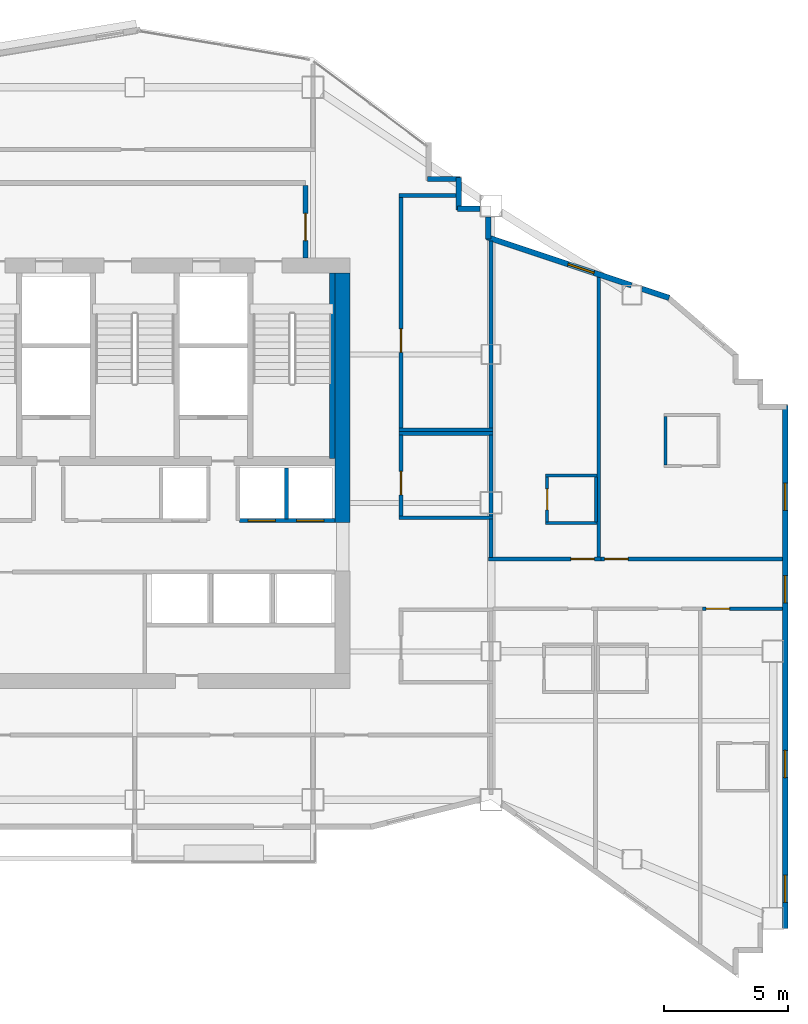
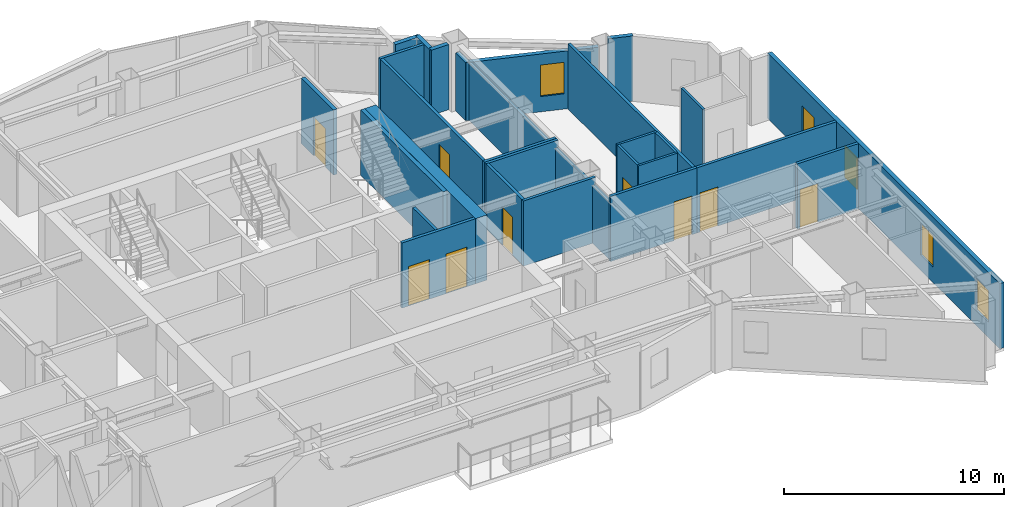
# One storey, part 8 of 11: 30 walls, 9 doors, 5 windows, 14 openings.
"""IFC4 building model written with IfcOpenShell, lengths in metres."""

from ifc_helpers import new_model, si_unit, direction, frame, frame_2d, origin, place, context, subcontext, project, spatial, rectangle, extrude, material, layer, layer_set, type_object, element, fill, save


model = new_model("IFC4")

# Units and contexts
model_context = context("Model", 3, precision=1e-05, world=origin(), true_north=direction((0.0, 1.0)))
body_context = subcontext(model_context, "Body", "Model", "MODEL_VIEW")
ifc_project = project(units=[si_unit("LENGTHUNIT", "METRE"), si_unit("AREAUNIT", "SQUARE_METRE"), si_unit("VOLUMEUNIT", "CUBIC_METRE"), si_unit("PLANEANGLEUNIT", "RADIAN"), si_unit("MASSUNIT", "GRAM", prefix="KILO")], contexts=[model_context])

# Site, building, storey
site_placement = place(None, origin())
site = spatial("IfcSite", under=ifc_project, at=site_placement, CompositionType="ELEMENT")
building_placement = place(site_placement, origin())
building = spatial("IfcBuilding", under=site, at=building_placement, Name="Haolan Belvedere Tower", CompositionType="ELEMENT")
storey_placement = place(building_placement, frame((0.0, 0.0, 199.39990234375)))
storey = spatial("IfcBuildingStorey", under=building, at=storey_placement, Name="L50", CompositionType="ELEMENT", Elevation=199.39990234375)

# Wall
ifc_material_1 = material(Name="Concrete C60/75", Category="concrete")
ifc_layer_1 = layer(ifc_material_1, 0.60009765625, Name="Concrete C60/75")
ifc_layer_set_1 = layer_set([ifc_layer_1], Name="Concrete C60/75")
wall_type_1 = type_object("IfcWallType", Name="WL-CORE-600", PredefinedType="SHEAR", material=ifc_layer_set_1)
wall_1_placement = place(storey_placement, frame((46.800048828125, 32.800048828125, 0.0), z_axis=(0.0, 0.0, 1.0), x_axis=(0.0, 1.0, 0.0)))
element("IfcWall", 1, at=wall_1_placement, inside=storey, type_object=wall_type_1, Name="L50 central core shear wall EN", PredefinedType="SHEAR", context=body_context, shape_type="SweptSolid", body=[
    extrude(rectangle(XDim=10.099853515625, YDim=0.60009765625, at=frame_2d((5.0498046875, 0.0))), origin(), (0.0, 0.0, 1.0), 3.6201171875),
])

# Wall, openings, windows
ifc_material_2 = material(Name="Precast concrete C40/50", Category="concrete")
ifc_layer_2 = layer(ifc_material_2, 0.219970703125, Name="Precast concrete C40/50")
ifc_layer_set_2 = layer_set([ifc_layer_2], Name="Precast concrete C40/50")
wall_type_2 = type_object("IfcWallType", Name="WL-EXT-220", PredefinedType="SOLIDWALL", material=ifc_layer_set_2)
wall_2_placement = place(storey_placement, frame((64.68994140625, 16.39990234375, 0.0), z_axis=(0.0, 0.0, 1.0), x_axis=(0.0, 1.0, 0.0)))
wall_2 = element("IfcWall", 2, at=wall_2_placement, inside=storey, type_object=wall_type_2, Name="L50 pale-metal exterior spandrel wall 8.1", PredefinedType="SOLIDWALL", context=body_context, shape_type="SweptSolid", body=[
    extrude(rectangle(XDim=21.14501953125, YDim=0.219970703125, at=frame_2d((10.572509765625, 0.0))), origin(), (0.0, 0.0, 1.0), 3.6201171875),
])
opening_1_placement = place(wall_2_placement, frame((1.050048828125, 0.0, 0.85009765625)))
opening_1 = element("IfcOpeningElement", 3, at=opening_1_placement, cuts=wall_2, Name="Opening W-03", PredefinedType="OPENING", context=body_context, shape_type="SweptSolid", body=[
    extrude(rectangle(XDim=1.10009765625, YDim=1.75, at=frame_2d((0.550048828125, 0.875))), frame((0.0, 0.119873046875, 0.0), z_axis=(0.0, -1.0, 0.0), x_axis=(1.0, 0.0, 0.0)), (0.0, 0.0, 1.0), 0.239990234375),
])
opening_2_placement = place(wall_2_placement, frame((6.10009765625, 0.0, 0.85009765625)))
opening_2 = element("IfcOpeningElement", 4, at=opening_2_placement, cuts=wall_2, Name="Opening W-03", PredefinedType="OPENING", context=body_context, shape_type="SweptSolid", body=[
    extrude(rectangle(XDim=1.10009765625, YDim=1.75, at=frame_2d((0.550048828125, 0.875))), frame((0.0, 0.119873046875, 0.0), z_axis=(0.0, -1.0, 0.0), x_axis=(1.0, 0.0, 0.0)), (0.0, 0.0, 1.0), 0.239990234375),
])
opening_3_placement = place(wall_2_placement, frame((13.155029296875, 0.0, 0.85009765625)))
opening_3 = element("IfcOpeningElement", 5, at=opening_3_placement, cuts=wall_2, Name="Opening W-03", PredefinedType="OPENING", context=body_context, shape_type="SweptSolid", body=[
    extrude(rectangle(XDim=1.10009765625, YDim=1.75, at=frame_2d((0.550048828125, 0.875))), frame((0.0, 0.119873046875, 0.0), z_axis=(0.0, -1.0, 0.0), x_axis=(1.0, 0.0, 0.0)), (0.0, 0.0, 1.0), 0.239990234375),
])
opening_4_placement = place(wall_2_placement, frame((16.89990234375, 0.0, 0.85009765625)))
opening_4 = element("IfcOpeningElement", 6, at=opening_4_placement, cuts=wall_2, Name="Opening W-03", PredefinedType="OPENING", context=body_context, shape_type="SweptSolid", body=[
    extrude(rectangle(XDim=1.10009765625, YDim=1.75, at=frame_2d((0.550048828125, 0.875))), frame((0.0, 0.119873046875, 0.0), z_axis=(0.0, -1.0, 0.0), x_axis=(1.0, 0.0, 0.0)), (0.0, 0.0, 1.0), 0.239990234375),
])
ifc_material_3 = material(Name="Anodised aluminium 6063-T6 and Low-E glass", Category="aluminium")
window_type = type_object("IfcWindowType", Name="WN-DECO-Z3", PartitioningType="SINGLE_PANEL", PredefinedType="WINDOW", material=ifc_material_3)
window_1_placement = place(opening_1_placement, origin())
window_1 = element("IfcWindow", 7, at=window_1_placement, inside=storey, type_object=window_type, Name="L50 Art Deco chevron window 1", OverallHeight=1.75, OverallWidth=1.10009765625, PartitioningType="SINGLE_PANEL", PredefinedType="WINDOW", context=body_context, shape_type="SweptSolid", body=[
    extrude(rectangle(XDim=1.10009765625, YDim=1.75, at=frame_2d((0.550048828125, 0.875))), frame((0.0, 0.030029296875, 0.0), z_axis=(0.0, -1.0, 0.0), x_axis=(1.0, 0.0, 0.0)), (0.0, 0.0, 1.0), 0.06005859375),
])
fill(opening_1, window_1)
window_2_placement = place(opening_2_placement, origin())
window_2 = element("IfcWindow", 8, at=window_2_placement, inside=storey, type_object=window_type, Name="L50 Art Deco chevron window 2", OverallHeight=1.75, OverallWidth=1.10009765625, PartitioningType="SINGLE_PANEL", PredefinedType="WINDOW", context=body_context, shape_type="SweptSolid", body=[
    extrude(rectangle(XDim=1.10009765625, YDim=1.75, at=frame_2d((0.550048828125, 0.875))), frame((0.0, 0.030029296875, 0.0), z_axis=(0.0, -1.0, 0.0), x_axis=(1.0, 0.0, 0.0)), (0.0, 0.0, 1.0), 0.06005859375),
])
fill(opening_2, window_2)
window_3_placement = place(opening_3_placement, origin())
window_3 = element("IfcWindow", 9, at=window_3_placement, inside=storey, type_object=window_type, Name="L50 Art Deco chevron window 3", OverallHeight=1.75, OverallWidth=1.10009765625, PartitioningType="SINGLE_PANEL", PredefinedType="WINDOW", context=body_context, shape_type="SweptSolid", body=[
    extrude(rectangle(XDim=1.10009765625, YDim=1.75, at=frame_2d((0.550048828125, 0.875))), frame((0.0, 0.030029296875, 0.0), z_axis=(0.0, -1.0, 0.0), x_axis=(1.0, 0.0, 0.0)), (0.0, 0.0, 1.0), 0.06005859375),
])
fill(opening_3, window_3)
window_4_placement = place(opening_4_placement, origin())
window_4 = element("IfcWindow", 10, at=window_4_placement, inside=storey, type_object=window_type, Name="L50 Art Deco chevron window 4", OverallHeight=1.75, OverallWidth=1.10009765625, PartitioningType="SINGLE_PANEL", PredefinedType="WINDOW", context=body_context, shape_type="SweptSolid", body=[
    extrude(rectangle(XDim=1.10009765625, YDim=1.75, at=frame_2d((0.550048828125, 0.875))), frame((0.0, 0.030029296875, 0.0), z_axis=(0.0, -1.0, 0.0), x_axis=(1.0, 0.0, 0.0)), (0.0, 0.0, 1.0), 0.06005859375),
])
fill(opening_4, window_4)

# Wall
wall_3_placement = place(storey_placement, frame((59.9970703125, 41.885009765625, 0.0), z_axis=(0.0, 0.0, 1.0), x_axis=(-0.948662335685, 0.316290646166, 0.0)))
element("IfcWall", 11, at=wall_3_placement, inside=storey, type_object=wall_type_2, Name="L50 pale-metal exterior spandrel wall 14.1", PredefinedType="SOLIDWALL", context=body_context, shape_type="SweptSolid", body=[
    extrude(rectangle(XDim=1.164794921875, YDim=0.219970703125, at=frame_2d((0.58251953125, 0.0))), origin(), (0.0, 0.0, 1.0), 3.6201171875),
])

# Wall, opening, window
wall_4_placement = place(storey_placement, frame((58.476318359375, 42.39208984375, 0.0), z_axis=(0.0, 0.0, 1.0), x_axis=(-0.948691231611, 0.316203964339, 0.0)))
wall_4 = element("IfcWall", 12, at=wall_4_placement, inside=storey, type_object=wall_type_2, Name="L50 pale-metal exterior spandrel wall 14.2", PredefinedType="SOLIDWALL", context=body_context, shape_type="SweptSolid", body=[
    extrude(rectangle(XDim=6.154296875, YDim=0.219970703125, at=frame_2d((3.0771484375, 0.0))), origin(), (0.0, 0.0, 1.0), 3.215087890625),
])
opening_5_placement = place(wall_4_placement, frame((1.59912109375, 0.0, 0.85009765625)))
opening_5 = element("IfcOpeningElement", 13, at=opening_5_placement, cuts=wall_4, Name="Opening W-03", PredefinedType="OPENING", context=body_context, shape_type="SweptSolid", body=[
    extrude(rectangle(XDim=1.10009765625, YDim=1.75, at=frame_2d((0.550048828125, 0.875))), frame((0.0, 0.119873046875, 0.0), z_axis=(0.0, -1.0, 0.0), x_axis=(1.0, 0.0, 0.0)), (0.0, 0.0, 1.0), 0.239990234375),
])
window_5_placement = place(opening_5_placement, origin())
window_5 = element("IfcWindow", 14, at=window_5_placement, inside=storey, type_object=window_type, Name="L50 Art Deco chevron window 1", OverallHeight=1.75, OverallWidth=1.10009765625, PartitioningType="SINGLE_PANEL", PredefinedType="WINDOW", context=body_context, shape_type="SweptSolid", body=[
    extrude(rectangle(XDim=1.10009765625, YDim=1.75, at=frame_2d((0.550048828125, 0.875))), frame((0.0, 0.030029296875, 0.0), z_axis=(0.0, -1.0, 0.0), x_axis=(1.0, 0.0, 0.0)), (0.0, 0.0, 1.0), 0.06005859375),
])
fill(opening_5, window_5)

# Walls
wall_5_placement = place(storey_placement, frame((52.68994140625, 44.265625, 0.0), z_axis=(0.0, 0.0, 1.0), x_axis=(0.0, 1.0, 0.0)))
element("IfcWall", 15, at=wall_5_placement, inside=storey, type_object=wall_type_2, Name="L50 pale-metal exterior spandrel wall 15.1", PredefinedType="SOLIDWALL", context=body_context, shape_type="SweptSolid", body=[
    extrude(rectangle(XDim=0.892333984375, YDim=0.219970703125, at=frame_2d((0.4462890625, 0.0))), origin(), (0.0, 0.0, 1.0), 3.215087890625),
])
wall_6_placement = place(storey_placement, frame((52.35791015625, 45.489990234375, 0.0), z_axis=(0.0, 0.0, 1.0), x_axis=(-1.0, 0.0, 0.0)))
element("IfcWall", 16, at=wall_6_placement, inside=storey, type_object=wall_type_2, Name="L50 pale-metal exterior spandrel wall 16.1", PredefinedType="SOLIDWALL", context=body_context, shape_type="SweptSolid", body=[
    extrude(rectangle(XDim=0.9228515625, YDim=0.219970703125, at=frame_2d((0.46142578125, 0.0))), origin(), (0.0, 0.0, 1.0), 3.6201171875),
])
wall_7_placement = place(storey_placement, frame((51.489990234375, 45.43505859375, 0.0), z_axis=(0.0, 0.0, 1.0), x_axis=(0.0, 1.0, 0.0)))
element("IfcWall", 17, at=wall_7_placement, inside=storey, type_object=wall_type_2, Name="L50 pale-metal exterior spandrel wall 17.1", PredefinedType="SOLIDWALL", context=body_context, shape_type="SweptSolid", body=[
    extrude(rectangle(XDim=1.31005859375, YDim=0.219970703125, at=frame_2d((0.655029296875, 0.0))), origin(), (0.0, 0.0, 1.0), 3.6201171875),
])
wall_8_placement = place(storey_placement, frame((51.544921875, 46.68994140625, 0.0), z_axis=(0.0, 0.0, 1.0), x_axis=(-1.0, 0.0, 0.0)))
element("IfcWall", 18, at=wall_8_placement, inside=storey, type_object=wall_type_2, Name="L50 pale-metal exterior spandrel wall 18.1", PredefinedType="SOLIDWALL", context=body_context, shape_type="SweptSolid", body=[
    extrude(rectangle(XDim=1.309814453125, YDim=0.219970703125, at=frame_2d((0.65478515625, 0.0))), origin(), (0.0, 0.0, 1.0), 3.6201171875),
])

# Wall, opening, door
ifc_material_4 = material(Name="Concrete C40/50", Category="concrete")
ifc_layer_3 = layer(ifc_material_4, 0.199951171875, Name="Concrete C40/50")
ifc_layer_set_3 = layer_set([ifc_layer_3], Name="Concrete C40/50")
wall_type_3 = type_object("IfcWallType", Name="WL-FIRE-200", PredefinedType="SOLIDWALL", material=ifc_layer_set_3)
wall_9_placement = place(storey_placement, frame((45.300048828125, 43.5, 0.0), z_axis=(0.0, 0.0, 1.0), x_axis=(0.0, 1.0, 0.0)))
wall_9 = element("IfcWall", 19, at=wall_9_placement, inside=storey, type_object=wall_type_3, Name="L50 interior partition IW-L50-FFL-E", PredefinedType="SOLIDWALL", context=body_context, shape_type="SweptSolid", body=[
    extrude(rectangle(XDim=2.93505859375, YDim=0.199951171875, at=frame_2d((1.467529296875, 0.0))), origin(), (0.0, 0.0, 1.0), 3.6201171875),
])
opening_6_placement = place(wall_9_placement, frame((0.699951171875, 0.0, 0.0)))
opening_6 = element("IfcOpeningElement", 20, at=opening_6_placement, cuts=wall_9, Name="Opening FD-03", PredefinedType="OPENING", context=body_context, shape_type="SweptSolid", body=[
    extrude(rectangle(XDim=1.10009765625, YDim=2.14990234375, at=frame_2d((0.550048828125, 1.074951171875))), frame((0.0, 0.10986328125, 0.0), z_axis=(0.0, -1.0, 0.0), x_axis=(1.0, 0.0, 0.0)), (0.0, 0.0, 1.0), 0.219970703125),
])
ifc_material_5 = material(Name="Galvanised fire-rated steel", Category="steel")
door_type_1 = type_object("IfcDoorType", Name="DR-FD90-1100", OperationType="NOTDEFINED", PredefinedType="DOOR", material=ifc_material_5)
door_1_placement = place(opening_6_placement, origin())
door_1 = element("IfcDoor", 21, at=door_1_placement, inside=storey, type_object=door_type_1, Name="L50 door ID-L50-FFL-DE", OperationType="SINGLE_SWING_RIGHT", OverallHeight=2.14990234375, OverallWidth=1.10009765625, PredefinedType="DOOR", context=body_context, shape_type="SweptSolid", body=[
    extrude(rectangle(XDim=1.10009765625, YDim=2.14990234375, at=frame_2d((0.550048828125, 1.074951171875))), frame((0.0, 0.02490234375, 0.0), z_axis=(0.0, -1.0, 0.0), x_axis=(1.0, 0.0, 0.0)), (0.0, 0.0, 1.0), 0.050048828125),
])
fill(opening_6, door_1)

# Walls
ifc_material_6 = material(Name="Double gypsum acoustic stud partition", Category="masonry")
ifc_layer_4 = layer(ifc_material_6, 0.14990234375, Name="Double gypsum acoustic stud partition")
ifc_layer_set_4 = layer_set([ifc_layer_4], Name="Double gypsum acoustic stud partition")
wall_type_4 = type_object("IfcWallType", Name="WL-PART-150", PredefinedType="PARTITIONING", material=ifc_layer_set_4)
for number, where, z_axis, x_axis, name in (
    (22, (49.080078125, 36.39990234375, 0.0), (0.0, 0.0, 1.0), (1.0, 0.0, 0.0), "L50 interior partition IW-L50-AWC-N"),
    (23, (49.080078125, 33.0, 0.0), (0.0, 0.0, 1.0), (1.0, 0.0, 0.0), "L50 interior partition IW-L50-AWC-S"),
):
    element("IfcWall", number, at=place(storey_placement, frame(where, z_axis=z_axis, x_axis=x_axis)), inside=storey, type_object=wall_type_4, Name=name, PredefinedType="PARTITIONING", context=body_context, shape_type="SweptSolid", body=[
        extrude(rectangle(XDim=3.7998046875, YDim=0.14990234375, at=frame_2d((1.89990234375, 0.0))), origin(), (0.0, 0.0, 1.0), 3.6201171875),
    ])

# Wall, opening, door
wall_10_placement = place(storey_placement, frame((49.159912109375, 33.06005859375, 0.0), z_axis=(0.0, 0.0, 1.0), x_axis=(0.0, 1.0, 0.0)))
wall_10 = element("IfcWall", 24, at=wall_10_placement, inside=storey, type_object=wall_type_4, Name="L50 interior partition IW-L50-AWC-W", PredefinedType="PARTITIONING", context=body_context, shape_type="SweptSolid", body=[
    extrude(rectangle(XDim=3.280029296875, YDim=0.14990234375, at=frame_2d((1.64013671875, 0.0))), origin(), (0.0, 0.0, 1.0), 3.6201171875),
])
opening_7_placement = place(wall_10_placement, frame((0.860107421875, 0.0, 0.0)))
opening_7 = element("IfcOpeningElement", 25, at=opening_7_placement, cuts=wall_10, Name="Opening ID-03", PredefinedType="OPENING", context=body_context, shape_type="SweptSolid", body=[
    extrude(rectangle(XDim=0.949951171875, YDim=2.1201171875, at=frame_2d((0.47509765625, 1.06005859375))), frame((0.0, 0.0849609375, 0.0), z_axis=(0.0, -1.0, 0.0), x_axis=(1.0, 0.0, 0.0)), (0.0, 0.0, 1.0), 0.169921875),
])
ifc_material_7 = material(Name="Painted solid-core timber", Category="wood")
door_type_2 = type_object("IfcDoorType", Name="DR-INT-950", OperationType="NOTDEFINED", PredefinedType="DOOR", material=ifc_material_7)
door_2_placement = place(opening_7_placement, origin())
door_2 = element("IfcDoor", 26, at=door_2_placement, inside=storey, type_object=door_type_2, Name="L50 door ID-L50-AWC", OperationType="SINGLE_SWING_RIGHT", OverallHeight=2.1201171875, OverallWidth=0.949951171875, PredefinedType="DOOR", context=body_context, shape_type="SweptSolid", body=[
    extrude(rectangle(XDim=0.949951171875, YDim=2.1201171875, at=frame_2d((0.47509765625, 1.06005859375))), frame((0.0, 0.02490234375, 0.0), z_axis=(0.0, -1.0, 0.0), x_axis=(1.0, 0.0, 0.0)), (0.0, 0.0, 1.0), 0.050048828125),
])
fill(opening_7, door_2)

# Walls
wall_11_placement = place(storey_placement, frame((52.800048828125, 33.06005859375, 0.0), z_axis=(0.0, 0.0, 1.0), x_axis=(0.0, 1.0, 0.0)))
element("IfcWall", 27, at=wall_11_placement, inside=storey, type_object=wall_type_4, Name="L50 interior partition IW-L50-AWC-E", PredefinedType="PARTITIONING", context=body_context, shape_type="SweptSolid", body=[
    extrude(rectangle(XDim=3.280029296875, YDim=0.14990234375, at=frame_2d((1.64013671875, 0.0))), origin(), (0.0, 0.0, 1.0), 3.215087890625),
])
wall_12_placement = place(storey_placement, frame((49.080078125, 46.02001953125, 0.0), z_axis=(0.0, 0.0, 1.0), x_axis=(1.0, 0.0, 0.0)))
element("IfcWall", 28, at=wall_12_placement, inside=storey, type_object=wall_type_4, Name="L50 interior partition IW-L50-SAL-N", PredefinedType="PARTITIONING", context=body_context, shape_type="SweptSolid", body=[
    extrude(rectangle(XDim=2.307861328125, YDim=0.14990234375, at=frame_2d((1.15380859375, 0.0))), origin(), (0.0, 0.0, 1.0), 3.6201171875),
])
wall_13_placement = place(storey_placement, frame((49.080078125, 36.56005859375, 0.0), z_axis=(0.0, 0.0, 1.0), x_axis=(1.0, 0.0, 0.0)))
element("IfcWall", 29, at=wall_13_placement, inside=storey, type_object=wall_type_4, Name="L50 interior partition IW-L50-SAL-S", PredefinedType="PARTITIONING", context=body_context, shape_type="SweptSolid", body=[
    extrude(rectangle(XDim=3.7998046875, YDim=0.14990234375, at=frame_2d((1.89990234375, 0.0))), origin(), (0.0, 0.0, 1.0), 3.6201171875),
])

# Wall, opening, door
wall_14_placement = place(storey_placement, frame((49.159912109375, 36.6201171875, 0.0), z_axis=(0.0, 0.0, 1.0), x_axis=(0.0, 1.0, 0.0)))
wall_14 = element("IfcWall", 30, at=wall_14_placement, inside=storey, type_object=wall_type_4, Name="L50 interior partition IW-L50-SAL-W", PredefinedType="PARTITIONING", context=body_context, shape_type="SweptSolid", body=[
    extrude(rectangle(XDim=9.33984375, YDim=0.14990234375, at=frame_2d((4.669921875, 0.0))), origin(), (0.0, 0.0, 1.0), 3.6201171875),
])
opening_8_placement = place(wall_14_placement, frame((3.06005859375, 0.0, 0.0)))
opening_8 = element("IfcOpeningElement", 31, at=opening_8_placement, cuts=wall_14, Name="Opening ID-03", PredefinedType="OPENING", context=body_context, shape_type="SweptSolid", body=[
    extrude(rectangle(XDim=0.949951171875, YDim=2.1201171875, at=frame_2d((0.47509765625, 1.06005859375))), frame((0.0, 0.0849609375, 0.0), z_axis=(0.0, -1.0, 0.0), x_axis=(1.0, 0.0, 0.0)), (0.0, 0.0, 1.0), 0.169921875),
])
door_3_placement = place(opening_8_placement, origin())
door_3 = element("IfcDoor", 32, at=door_3_placement, inside=storey, type_object=door_type_2, Name="L50 door ID-L50-SAL", OperationType="SINGLE_SWING_LEFT", OverallHeight=2.1201171875, OverallWidth=0.949951171875, PredefinedType="DOOR", context=body_context, shape_type="SweptSolid", body=[
    extrude(rectangle(XDim=0.949951171875, YDim=2.1201171875, at=frame_2d((0.47509765625, 1.06005859375))), frame((0.0, 0.02490234375, 0.0), z_axis=(0.0, -1.0, 0.0), x_axis=(1.0, 0.0, 0.0)), (0.0, 0.0, 1.0), 0.050048828125),
])
fill(opening_8, door_3)

# Wall
wall_15_placement = place(storey_placement, frame((52.800048828125, 36.6201171875, 0.0), z_axis=(0.0, 0.0, 1.0), x_axis=(0.0, 1.0, 0.0)))
element("IfcWall", 33, at=wall_15_placement, inside=storey, type_object=wall_type_4, Name="L50 interior partition IW-L50-SAL-E", PredefinedType="PARTITIONING", context=body_context, shape_type="SweptSolid", body=[
    extrude(rectangle(XDim=7.556396484375, YDim=0.14990234375, at=frame_2d((3.7783203125, 0.0))), origin(), (0.0, 0.0, 1.0), 3.215087890625),
])

# Wall, opening, door
wall_16_placement = place(storey_placement, frame((52.699951171875, 31.330078125, 0.0), z_axis=(0.0, 0.0, 1.0), x_axis=(1.0, 0.0, 0.0)))
wall_16 = element("IfcWall", 34, at=wall_16_placement, inside=storey, type_object=wall_type_4, Name="L50 interior partition IW-L50-T4N1-S", PredefinedType="PARTITIONING", context=body_context, shape_type="SweptSolid", body=[
    extrude(rectangle(XDim=4.550048828125, YDim=0.14990234375, at=frame_2d((2.27490234375, 0.0))), origin(), (0.0, 0.0, 1.0), 3.6201171875),
])
opening_9_placement = place(wall_16_placement, frame((3.322998046875, 0.0, 0.0)))
opening_9 = element("IfcOpeningElement", 35, at=opening_9_placement, cuts=wall_16, Name="Opening ID-02", PredefinedType="OPENING", context=body_context, shape_type="SweptSolid", body=[
    extrude(rectangle(XDim=0.949951171875, YDim=2.14990234375, at=frame_2d((0.47509765625, 1.074951171875))), frame((0.0, 0.0849609375, 0.0), z_axis=(0.0, -1.0, 0.0), x_axis=(1.0, 0.0, 0.0)), (0.0, 0.0, 1.0), 0.169921875),
])
ifc_material_8 = material(Name="Acoustic oak veneer fire-rated timber", Category="wood")
door_type_3 = type_object("IfcDoorType", Name="DR-GUEST-950", OperationType="NOTDEFINED", PredefinedType="DOOR", material=ifc_material_8)
door_4_placement = place(opening_9_placement, origin())
door_4 = element("IfcDoor", 36, at=door_4_placement, inside=storey, type_object=door_type_3, Name="L50 door ID-L50-T4N1-ENT", OperationType="SINGLE_SWING_LEFT", OverallHeight=2.14990234375, OverallWidth=0.949951171875, PredefinedType="DOOR", context=body_context, shape_type="SweptSolid", body=[
    extrude(rectangle(XDim=0.949951171875, YDim=2.14990234375, at=frame_2d((0.47509765625, 1.074951171875))), frame((0.0, 0.02490234375, 0.0), z_axis=(0.0, -1.0, 0.0), x_axis=(1.0, 0.0, 0.0)), (0.0, 0.0, 1.0), 0.050048828125),
])
fill(opening_9, door_4)

# Walls
wall_17_placement = place(storey_placement, frame((52.800048828125, 31.389892578125, 0.0), z_axis=(0.0, 0.0, 1.0), x_axis=(0.0, 1.0, 0.0)))
element("IfcWall", 37, at=wall_17_placement, inside=storey, type_object=wall_type_4, Name="L50 interior partition IW-L50-T4N1-W", PredefinedType="PARTITIONING", context=body_context, shape_type="SweptSolid", body=[
    extrude(rectangle(XDim=1.550048828125, YDim=0.14990234375, at=frame_2d((0.77490234375, 0.0))), origin(), (0.0, 0.0, 1.0), 3.215087890625),
])
wall_18_placement = place(storey_placement, frame((57.14990234375, 31.389892578125, 0.0), z_axis=(0.0, 0.0, 1.0), x_axis=(0.0, 1.0, 0.0)))
element("IfcWall", 38, at=wall_18_placement, inside=storey, type_object=wall_type_4, Name="L50 interior partition IW-L50-T4N1-E", PredefinedType="PARTITIONING", context=body_context, shape_type="SweptSolid", body=[
    extrude(rectangle(XDim=11.336669921875, YDim=0.14990234375, at=frame_2d((5.66845703125, 0.0))), origin(), (0.0, 0.0, 1.0), 3.6201171875),
])

# Wall, opening, door
wall_19_placement = place(storey_placement, frame((57.251953125, 31.330078125, 0.0), z_axis=(0.0, 0.0, 1.0), x_axis=(1.0, 0.0, 0.0)))
wall_19 = element("IfcWall", 39, at=wall_19_placement, inside=storey, type_object=wall_type_4, Name="L50 interior partition IW-L50-T4N2-S", PredefinedType="PARTITIONING", context=body_context, shape_type="SweptSolid", body=[
    extrude(rectangle(XDim=7.3359375, YDim=0.14990234375, at=frame_2d((3.66796875, 0.0))), origin(), (0.0, 0.0, 1.0), 3.6201171875),
])
opening_10_placement = place(wall_19_placement, frame((0.139892578125, 0.0, 0.0)))
opening_10 = element("IfcOpeningElement", 40, at=opening_10_placement, cuts=wall_19, Name="Opening ID-01", PredefinedType="OPENING", context=body_context, shape_type="SweptSolid", body=[
    extrude(rectangle(XDim=0.949951171875, YDim=2.179931640625, at=frame_2d((0.47509765625, 1.08984375))), frame((0.0, 0.0849609375, 0.0), z_axis=(0.0, -1.0, 0.0), x_axis=(1.0, 0.0, 0.0)), (0.0, 0.0, 1.0), 0.169921875),
])
ifc_material_9 = material(Name="Acoustic walnut veneer fire-rated timber", Category="wood")
door_type_4 = type_object("IfcDoorType", Name="DR-SUITE-950", OperationType="NOTDEFINED", PredefinedType="DOOR", material=ifc_material_9)
door_5_placement = place(opening_10_placement, origin())
door_5 = element("IfcDoor", 41, at=door_5_placement, inside=storey, type_object=door_type_4, Name="L50 door ID-L50-T4N2-ENT", OperationType="SINGLE_SWING_RIGHT", OverallHeight=2.179931640625, OverallWidth=0.949951171875, PredefinedType="DOOR", context=body_context, shape_type="SweptSolid", body=[
    extrude(rectangle(XDim=0.949951171875, YDim=2.179931640625, at=frame_2d((0.47509765625, 1.08984375))), frame((0.0, 0.02490234375, 0.0), z_axis=(0.0, -1.0, 0.0), x_axis=(1.0, 0.0, 0.0)), (0.0, 0.0, 1.0), 0.050048828125),
])
fill(opening_10, door_5)

wall_20_placement = place(storey_placement, frame((61.35205078125, 29.320068359375, 0.0), z_axis=(0.0, 0.0, 1.0), x_axis=(1.0, 0.0, 0.0)))
wall_20 = element("IfcWall", 42, at=wall_20_placement, inside=storey, type_object=wall_type_4, Name="L50 interior partition IW-L50-T4S3-N", PredefinedType="PARTITIONING", context=body_context, shape_type="SweptSolid", body=[
    extrude(rectangle(XDim=3.23583984375, YDim=0.14990234375, at=frame_2d((1.617919921875, 0.0))), origin(), (0.0, 0.0, 1.0), 3.6201171875),
])
opening_11_placement = place(wall_20_placement, frame((1.08984375, 0.0, 0.0), z_axis=(0.0, 0.0, 1.0), x_axis=(-1.0, 0.0, 0.0)))
opening_11 = element("IfcOpeningElement", 43, at=opening_11_placement, cuts=wall_20, Name="Opening ID-02", PredefinedType="OPENING", context=body_context, shape_type="SweptSolid", body=[
    extrude(rectangle(XDim=0.949951171875, YDim=2.14990234375, at=frame_2d((0.47509765625, 1.074951171875))), frame((0.0, 0.0849609375, 0.0), z_axis=(0.0, -1.0, 0.0), x_axis=(1.0, 0.0, 0.0)), (0.0, 0.0, 1.0), 0.169921875),
])
door_6_placement = place(opening_11_placement, origin())
door_6 = element("IfcDoor", 44, at=door_6_placement, inside=storey, type_object=door_type_3, Name="L50 door ID-L50-T4S3-ENT", OperationType="SINGLE_SWING_LEFT", OverallHeight=2.14990234375, OverallWidth=0.949951171875, PredefinedType="DOOR", context=body_context, shape_type="SweptSolid", body=[
    extrude(rectangle(XDim=0.949951171875, YDim=2.14990234375, at=frame_2d((0.47509765625, 1.074951171875))), frame((0.0, 0.02490234375, 0.0), z_axis=(0.0, -1.0, 0.0), x_axis=(1.0, 0.0, 0.0)), (0.0, 0.0, 1.0), 0.050048828125),
])
fill(opening_11, door_6)

# Wall, openings, doors
ifc_material_10 = material(Name="Gypsum fire shaftwall assembly", Category="masonry")
ifc_layer_5 = layer(ifc_material_10, 0.1650390625, Name="Gypsum fire shaftwall assembly")
ifc_layer_set_5 = layer_set([ifc_layer_5], Name="Gypsum fire shaftwall assembly")
wall_type_5 = type_object("IfcWallType", Name="WL-SHAFT-160", PredefinedType="SOLIDWALL", material=ifc_layer_set_5)
wall_21_placement = place(storey_placement, frame((42.6298828125, 32.8798828125, 0.0), z_axis=(0.0, 0.0, 1.0), x_axis=(1.0, 0.0, 0.0)))
wall_21 = element("IfcWall", 45, at=wall_21_placement, inside=storey, type_object=wall_type_5, Name="L50 interior partition IW-L50-ROW-PN3", PredefinedType="SOLIDWALL", context=body_context, shape_type="SweptSolid", body=[
    extrude(rectangle(XDim=3.8701171875, YDim=0.159912109375, at=frame_2d((1.93505859375, 0.0))), origin(), (0.0, 0.0, 1.0), 3.6201171875),
])
opening_12_placement = place(wall_21_placement, frame((1.4501953125, 0.0, 0.0), z_axis=(0.0, 0.0, 1.0), x_axis=(-1.0, 0.0, 0.0)))
opening_12 = element("IfcOpeningElement", 46, at=opening_12_placement, cuts=wall_21, Name="Opening LD-01", PredefinedType="OPENING", context=body_context, shape_type="SweptSolid", body=[
    extrude(rectangle(XDim=1.10009765625, YDim=2.199951171875, at=frame_2d((0.550048828125, 1.10009765625))), frame((0.0, 0.08984375, 0.0), z_axis=(0.0, -1.0, 0.0), x_axis=(1.0, 0.0, 0.0)), (0.0, 0.0, 1.0), 0.179931640625),
])
opening_13_placement = place(wall_21_placement, frame((3.41015625, 0.0, 0.0), z_axis=(0.0, 0.0, 1.0), x_axis=(-1.0, 0.0, 0.0)))
opening_13 = element("IfcOpeningElement", 47, at=opening_13_placement, cuts=wall_21, Name="Opening LD-01", PredefinedType="OPENING", context=body_context, shape_type="SweptSolid", body=[
    extrude(rectangle(XDim=1.10009765625, YDim=2.199951171875, at=frame_2d((0.550048828125, 1.10009765625))), frame((0.0, 0.08984375, 0.0), z_axis=(0.0, -1.0, 0.0), x_axis=(1.0, 0.0, 0.0)), (0.0, 0.0, 1.0), 0.179931640625),
])
ifc_material_11 = material(Name="Brushed champagne stainless steel 316L", Category="steel")
door_type_5 = type_object("IfcDoorType", Name="DR-LIFT-1100", OperationType="SLIDING_TO_LEFT", PredefinedType="DOOR", material=ifc_material_11)
door_7_placement = place(opening_12_placement, origin())
door_7 = element("IfcDoor", 48, at=door_7_placement, inside=storey, type_object=door_type_5, Name="L50 door ID-L50-LD-PH2", OperationType="SLIDING_TO_RIGHT", OverallHeight=2.199951171875, OverallWidth=1.10009765625, PredefinedType="DOOR", context=body_context, shape_type="SweptSolid", body=[
    extrude(rectangle(XDim=1.10009765625, YDim=2.199951171875, at=frame_2d((0.550048828125, 1.10009765625))), frame((0.0, 0.02490234375, 0.0), z_axis=(0.0, -1.0, 0.0), x_axis=(1.0, 0.0, 0.0)), (0.0, 0.0, 1.0), 0.050048828125),
])
fill(opening_12, door_7)
door_8_placement = place(opening_13_placement, origin())
door_8 = element("IfcDoor", 49, at=door_8_placement, inside=storey, type_object=door_type_5, Name="L50 door ID-L50-LD-PH3", OperationType="SLIDING_TO_RIGHT", OverallHeight=2.199951171875, OverallWidth=1.10009765625, PredefinedType="DOOR", context=body_context, shape_type="SweptSolid", body=[
    extrude(rectangle(XDim=1.10009765625, YDim=2.199951171875, at=frame_2d((0.550048828125, 1.10009765625))), frame((0.0, 0.02490234375, 0.0), z_axis=(0.0, -1.0, 0.0), x_axis=(1.0, 0.0, 0.0)), (0.0, 0.0, 1.0), 0.050048828125),
])
fill(opening_13, door_8)

# Walls
wall_22_placement = place(storey_placement, frame((44.530029296875, 32.949951171875, 0.0), z_axis=(0.0, 0.0, 1.0), x_axis=(0.0, 1.0, 0.0)))
element("IfcWall", 50, at=wall_22_placement, inside=storey, type_object=wall_type_5, Name="L50 interior partition IW-L50-DIV-PH2", PredefinedType="SOLIDWALL", context=body_context, shape_type="SweptSolid", body=[
    extrude(rectangle(XDim=2.050048828125, YDim=0.14990234375, at=frame_2d((1.02490234375, 0.0))), origin(), (0.0, 0.0, 1.0), 3.6201171875),
])
ifc_material_12 = material(Name="Concrete C50/60", Category="concrete")
ifc_layer_6 = layer(ifc_material_12, 0.219970703125, Name="Concrete C50/60")
ifc_layer_set_6 = layer_set([ifc_layer_6], Name="Concrete C50/60")
wall_type_6 = type_object("IfcWallType", Name="WL-STAIR-220", PredefinedType="SHEAR", material=ifc_layer_set_6)
wall_23_placement = place(storey_placement, frame((46.387939453125, 35.389892578125, 0.0), z_axis=(0.0, 0.0, 1.0), x_axis=(0.0, 1.0, 0.0)))
element("IfcWall", 51, at=wall_23_placement, inside=storey, type_object=wall_type_6, Name="L50 structural stair core wall ST2E", PredefinedType="SHEAR", context=body_context, shape_type="SweptSolid", body=[
    extrude(rectangle(XDim=7.510009765625, YDim=0.219970703125, at=frame_2d((3.7548828125, 0.0))), origin(), (0.0, 0.0, 1.0), 3.6201171875),
])
ifc_material_13 = material(Name="Moisture-resistant gypsum tile partition", Category="masonry")
ifc_layer_7 = layer(ifc_material_13, 0.1201171875, Name="Moisture-resistant gypsum tile partition")
ifc_layer_set_7 = layer_set([ifc_layer_7], Name="Moisture-resistant gypsum tile partition")
wall_type_7 = type_object("IfcWallType", Name="WL-WET-120", PredefinedType="PARTITIONING", material=ifc_layer_set_7)
for number, where, z_axis, x_axis, name in (
    (52, (55.010009765625, 34.699951171875, 0.0), (0.0, 0.0, 1.0), (1.0, 0.0, 0.0), "L50 interior partition IW-L50-T4N1-BN"),
    (53, (55.010009765625, 32.780029296875, 0.0), (0.0, 0.0, 1.0), (1.0, 0.0, 0.0), "L50 interior partition IW-L50-T4N1-BS"),
):
    element("IfcWall", number, at=place(storey_placement, frame(where, z_axis=z_axis, x_axis=x_axis)), inside=storey, type_object=wall_type_7, Name=name, PredefinedType="PARTITIONING", context=body_context, shape_type="SweptSolid", body=[
        extrude(rectangle(XDim=2.080078125, YDim=0.1201171875, at=frame_2d((1.0400390625, 0.0))), origin(), (0.0, 0.0, 1.0), 3.6201171875),
    ])

# Wall, opening, door
wall_24_placement = place(storey_placement, frame((55.070068359375, 32.824951171875, 0.0), z_axis=(0.0, 0.0, 1.0), x_axis=(0.0, 1.0, 0.0)))
wall_24 = element("IfcWall", 54, at=wall_24_placement, inside=storey, type_object=wall_type_7, Name="L50 interior partition IW-L50-T4N1-BW", PredefinedType="PARTITIONING", context=body_context, shape_type="SweptSolid", body=[
    extrude(rectangle(XDim=1.830078125, YDim=0.1201171875, at=frame_2d((0.9150390625, 0.0))), origin(), (0.0, 0.0, 1.0), 3.6201171875),
])
opening_14_placement = place(wall_24_placement, frame((1.340087890625, 0.0, 0.0), z_axis=(0.0, 0.0, 1.0), x_axis=(-1.0, 0.0, 0.0)))
opening_14 = element("IfcOpeningElement", 55, at=opening_14_placement, cuts=wall_24, Name="Opening ID-05", PredefinedType="OPENING", context=body_context, shape_type="SweptSolid", body=[
    extrude(rectangle(XDim=0.85009765625, YDim=2.10009765625, at=frame_2d((0.425048828125, 1.050048828125))), frame((0.0, 0.070068359375, 0.0), z_axis=(0.0, -1.0, 0.0), x_axis=(1.0, 0.0, 0.0)), (0.0, 0.0, 1.0), 0.14013671875),
])
ifc_material_14 = material(Name="Moisture-resistant lacquered timber", Category="wood")
door_type_6 = type_object("IfcDoorType", Name="DR-BATH-850", OperationType="NOTDEFINED", PredefinedType="DOOR", material=ifc_material_14)
door_9_placement = place(opening_14_placement, origin())
door_9 = element("IfcDoor", 56, at=door_9_placement, inside=storey, type_object=door_type_6, Name="L50 door ID-L50-T4N1-BATH", OperationType="SINGLE_SWING_RIGHT", OverallHeight=2.10009765625, OverallWidth=0.85009765625, PredefinedType="DOOR", context=body_context, shape_type="SweptSolid", body=[
    extrude(rectangle(XDim=0.85009765625, YDim=2.10009765625, at=frame_2d((0.425048828125, 1.050048828125))), frame((0.0, 0.02490234375, 0.0), z_axis=(0.0, -1.0, 0.0), x_axis=(1.0, 0.0, 0.0)), (0.0, 0.0, 1.0), 0.050048828125),
])
fill(opening_14, door_9)

# Walls
wall_25_placement = place(storey_placement, frame((57.050048828125, 32.824951171875, 0.0), z_axis=(0.0, 0.0, 1.0), x_axis=(0.0, 1.0, 0.0)))
element("IfcWall", 57, at=wall_25_placement, inside=storey, type_object=wall_type_7, Name="L50 interior partition IW-L50-T4N1-BE", PredefinedType="PARTITIONING", context=body_context, shape_type="SweptSolid", body=[
    extrude(rectangle(XDim=1.830078125, YDim=0.1201171875, at=frame_2d((0.9150390625, 0.0))), origin(), (0.0, 0.0, 1.0), 3.6201171875),
])
wall_26_placement = place(storey_placement, frame((59.843017578125, 35.139892578125, 0.0), z_axis=(0.0, 0.0, 1.0), x_axis=(0.0, 1.0, 0.0)))
element("IfcWall", 58, at=wall_26_placement, inside=storey, type_object=wall_type_7, Name="L50 interior partition IW-L50-T4N2-BW", PredefinedType="PARTITIONING", context=body_context, shape_type="SweptSolid", body=[
    extrude(rectangle(XDim=1.960205078125, YDim=0.1201171875, at=frame_2d((0.97998046875, 0.0))), origin(), (0.0, 0.0, 1.0), 3.6201171875),
])

save(model, "model.ifc")
